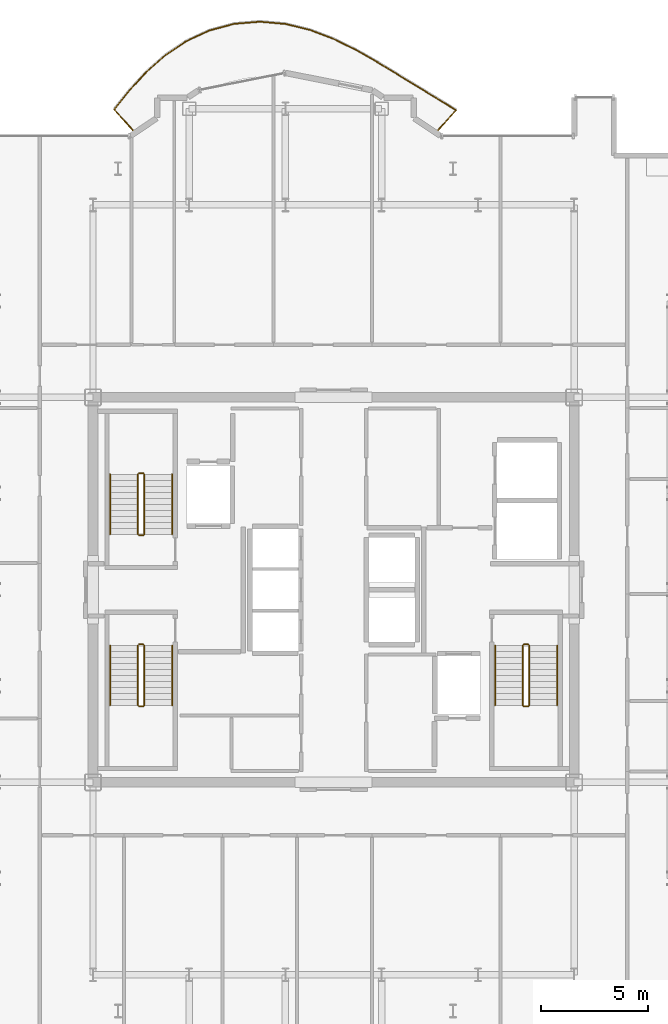
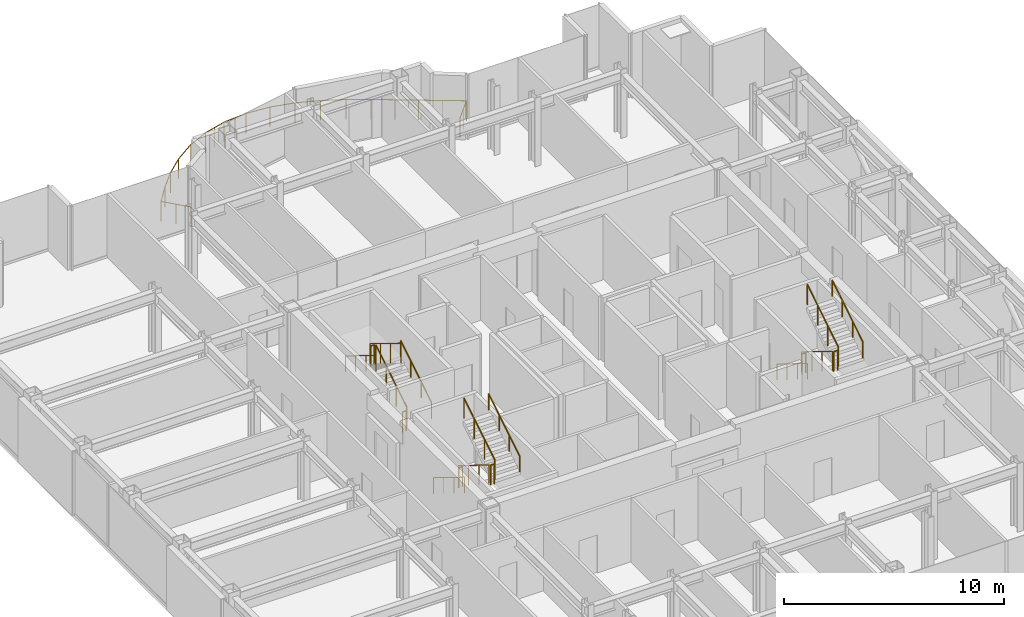
# One storey, part 16 of 16: 19 railings.
"""IFC4 building model written with IfcOpenShell, lengths in metres."""

from ifc_helpers import new_model, si_unit, direction, frame, origin, origin_2d, place, context, subcontext, project, spatial, circle, extrude, material, type_object, element, save


model = new_model("IFC4")

# Units and contexts
model_context = context("Model", 3, precision=1e-05, world=origin(), true_north=direction((0.0, 1.0)))
body_context = subcontext(model_context, "Body", "Model", "MODEL_VIEW")
ifc_project = project(units=[si_unit("LENGTHUNIT", "METRE"), si_unit("AREAUNIT", "SQUARE_METRE"), si_unit("VOLUMEUNIT", "CUBIC_METRE"), si_unit("PLANEANGLEUNIT", "RADIAN"), si_unit("MASSUNIT", "GRAM", prefix="KILO")], contexts=[model_context])

# Site, building, storey
site_placement = place(None, origin())
site = spatial("IfcSite", under=ifc_project, at=site_placement, CompositionType="ELEMENT")
building_placement = place(site_placement, origin())
building = spatial("IfcBuilding", under=site, at=building_placement, Name="Nefas-Gora Pilgrimage Tower", CompositionType="ELEMENT")
storey_placement = place(building_placement, frame((0.0, 0.0, 287.39990234375)))
storey = spatial("IfcBuildingStorey", under=building, at=storey_placement, Name="L72", CompositionType="ELEMENT", Elevation=287.39990234375)

# Railings
ifc_material_1 = material(Name="Laminated safety glass and stainless steel", Category="steel")
railing_type_1 = type_object("IfcRailingType", Name="RLG-BAL-1100", PredefinedType="BALUSTRADE", material=ifc_material_1)
railing_1_placement = place(storey_placement, frame((4.802490234375, 21.402587890625, 0.0)))
element("IfcRailing", 1, at=railing_1_placement, inside=storey, type_object=railing_type_1, Name="L72 Wave Balcony Balustrade N1", PredefinedType="BALUSTRADE", context=body_context, shape_type="SweptSolid", body=[
    extrude(circle(Radius=0.02392578125, at=origin_2d()), frame((0.0, 0.0, 1.09619140625), z_axis=(0.669217868333, 0.743066245165, 0.0), x_axis=(-0.743066245165, 0.669217868333, 0.0)), (0.0, 0.0, 1.0), 1.38525390625),
    extrude(circle(Radius=0.02392578125, at=origin_2d()), frame((0.927001953125, 1.029296875, 1.09619140625), z_axis=(-0.852658885571, 0.522468013238, 0.0), x_axis=(-0.522468013238, -0.852658885571, 0.0)), (0.0, 0.0, 1.0), 1.095703125),
    extrude(circle(Radius=0.02392578125, at=origin_2d()), frame((-0.00732421875, 1.601806640625, 1.09619140625), z_axis=(-0.855124780813, 0.518422230657, 0.0), x_axis=(-0.518422230657, -0.855124780813, 0.0)), (0.0, 0.0, 1.0), 1.077392578125),
    extrude(circle(Radius=0.02392578125, at=origin_2d()), frame((-0.9287109375, 2.160400390625, 1.09619140625), z_axis=(-0.852777131159, 0.522274989418, 0.0), x_axis=(-0.522274989418, -0.852777131159, 0.0)), (0.0, 0.0, 1.0), 1.076904296875),
    extrude(circle(Radius=0.02392578125, at=origin_2d()), frame((-1.84716796875, 2.722900390625, 1.09619140625), z_axis=(-0.854684994475, 0.519146954358, 0.0), x_axis=(-0.519146954358, -0.854684994475, 0.0)), (0.0, 0.0, 1.0), 1.09423828125),
    extrude(circle(Radius=0.02392578125, at=origin_2d()), frame((-2.782470703125, 3.291015625, 1.09619140625), z_axis=(-0.868857666147, 0.495061971856, 0.0), x_axis=(-0.495061971856, -0.868857666147, 0.0)), (0.0, 0.0, 1.0), 1.123291015625),
    extrude(circle(Radius=0.02392578125, at=origin_2d()), frame((-3.758544921875, 3.84716796875, 1.09619140625), z_axis=(-0.896659173932, 0.442721499142, 0.0), x_axis=(-0.442721499142, -0.896659173932, 0.0)), (0.0, 0.0, 1.0), 1.153564453125),
    extrude(circle(Radius=0.02392578125, at=origin_2d()), frame((-4.79296875, 4.35791015625, 1.09619140625), z_axis=(-0.934122957215, 0.356951398377, 0.0), x_axis=(-0.356951398377, -0.934122957215, 0.0)), (0.0, 0.0, 1.0), 1.178466796875),
    extrude(circle(Radius=0.02392578125, at=origin_2d()), frame((-5.893798828125, 4.778564453125, 1.09619140625), z_axis=(-0.97145249085, 0.237234183922, 0.0), x_axis=(-0.237234183922, -0.97145249085, 0.0)), (0.0, 0.0, 1.0), 1.192626953125),
    extrude(circle(Radius=0.02392578125, at=origin_2d()), frame((-7.052490234375, 5.0615234375, 1.09619140625), z_axis=(-0.99619460159, 0.087156845765, 0.0), x_axis=(-0.087156845765, -0.99619460159, 0.0)), (0.0, 0.0, 1.0), 1.198974609375),
    extrude(circle(Radius=0.02392578125, at=origin_2d()), frame((-8.246826171875, 5.166015625, 1.09619140625), z_axis=(-0.996586307441, -0.082557445587, 0.0), x_axis=(0.082557445587, -0.996586307441, 0.0)), (0.0, 0.0, 1.0), 1.20068359375),
    extrude(circle(Radius=0.02392578125, at=origin_2d()), frame((-9.443359375, 5.06689453125, 1.09619140625), z_axis=(-0.966180913081, -0.257865164763, 0.0), x_axis=(0.257865164763, -0.966180913081, 0.0)), (0.0, 0.0, 1.0), 1.200439453125),
    extrude(circle(Radius=0.02392578125, at=origin_2d()), frame((-10.603271484375, 4.75732421875, 1.09619140625), z_axis=(-0.907111664378, -0.420890043063, 0.0), x_axis=(0.420890043063, -0.907111664378, 0.0)), (0.0, 0.0, 1.0), 1.199462890625),
    extrude(circle(Radius=0.02392578125, at=origin_2d()), frame((-11.69140625, 4.25244140625, 1.09619140625), z_axis=(-0.829780590571, -0.558089752201, 0.0), x_axis=(0.558089752201, -0.829780590571, 0.0)), (0.0, 0.0, 1.0), 1.195068359375),
    extrude(circle(Radius=0.02392578125, at=origin_2d()), frame((-12.68310546875, 3.58544921875, 1.09619140625), z_axis=(-0.748330645695, -0.663325896308, 0.0), x_axis=(0.663325896308, -0.748330645695, 0.0)), (0.0, 0.0, 1.0), 1.183349609375),
    extrude(circle(Radius=0.02392578125, at=origin_2d()), frame((-13.568603515625, 2.800537109375, 1.09619140625), z_axis=(-0.676400344051, -0.736534163883, 0.0), x_axis=(0.736534163883, -0.676400344051, 0.0)), (0.0, 0.0, 1.0), 1.1611328125),
    extrude(circle(Radius=0.02392578125, at=origin_2d()), frame((-14.35400390625, 1.9453125, 1.09619140625), z_axis=(-0.624326656169, -0.781163380092, 0.0), x_axis=(0.781163380092, -0.624326656169, 0.0)), (0.0, 0.0, 1.0), 1.131591796875),
    extrude(circle(Radius=0.02392578125, at=origin_2d()), frame((-15.060546875, 1.061279296875, 1.09619140625), z_axis=(0.669125283262, -0.743149618381, 0.0), x_axis=(0.743149618381, 0.669125283262, 0.0)), (0.0, 0.0, 1.0), 1.427978515625),
    extrude(circle(Radius=0.02099609375, at=origin_2d()), origin(), (0.0, 0.0, 1.0), 1.072021484375),
    extrude(circle(Radius=0.02099609375, at=origin_2d()), frame((0.46337890625, 0.5146484375, 0.0)), (0.0, 0.0, 1.0), 1.072021484375),
    extrude(circle(Radius=0.02099609375, at=origin_2d()), frame((0.927001953125, 1.029296875, 0.0)), (0.0, 0.0, 1.0), 1.072021484375),
    extrude(circle(Radius=0.02099609375, at=origin_2d()), frame((-0.00732421875, 1.601806640625, 0.0)), (0.0, 0.0, 1.0), 1.072021484375),
    extrude(circle(Radius=0.02099609375, at=origin_2d()), frame((-0.9287109375, 2.160400390625, 0.0)), (0.0, 0.0, 1.0), 1.072021484375),
    extrude(circle(Radius=0.02099609375, at=origin_2d()), frame((-1.84716796875, 2.722900390625, 0.0)), (0.0, 0.0, 1.0), 1.072021484375),
    extrude(circle(Radius=0.02099609375, at=origin_2d()), frame((-2.782470703125, 3.291015625, 0.0)), (0.0, 0.0, 1.0), 1.072021484375),
    extrude(circle(Radius=0.02099609375, at=origin_2d()), frame((-3.758544921875, 3.84716796875, 0.0)), (0.0, 0.0, 1.0), 1.072021484375),
    extrude(circle(Radius=0.02099609375, at=origin_2d()), frame((-4.79296875, 4.35791015625, 0.0)), (0.0, 0.0, 1.0), 1.072021484375),
    extrude(circle(Radius=0.02099609375, at=origin_2d()), frame((-5.893798828125, 4.778564453125, 0.0)), (0.0, 0.0, 1.0), 1.072021484375),
    extrude(circle(Radius=0.02099609375, at=origin_2d()), frame((-7.052490234375, 5.0615234375, 0.0)), (0.0, 0.0, 1.0), 1.072021484375),
    extrude(circle(Radius=0.02099609375, at=origin_2d()), frame((-8.246826171875, 5.166015625, 0.0)), (0.0, 0.0, 1.0), 1.072021484375),
    extrude(circle(Radius=0.02099609375, at=origin_2d()), frame((-8.84521484375, 5.116455078125, 0.0)), (0.0, 0.0, 1.0), 1.072021484375),
    extrude(circle(Radius=0.02099609375, at=origin_2d()), frame((-9.443359375, 5.06689453125, 0.0)), (0.0, 0.0, 1.0), 1.072021484375),
    extrude(circle(Radius=0.02099609375, at=origin_2d()), frame((-10.0234375, 4.912109375, 0.0)), (0.0, 0.0, 1.0), 1.072021484375),
    extrude(circle(Radius=0.02099609375, at=origin_2d()), frame((-10.603271484375, 4.75732421875, 0.0)), (0.0, 0.0, 1.0), 1.072021484375),
    extrude(circle(Radius=0.02099609375, at=origin_2d()), frame((-11.69140625, 4.25244140625, 0.0)), (0.0, 0.0, 1.0), 1.072021484375),
    extrude(circle(Radius=0.02099609375, at=origin_2d()), frame((-12.68310546875, 3.58544921875, 0.0)), (0.0, 0.0, 1.0), 1.072021484375),
    extrude(circle(Radius=0.02099609375, at=origin_2d()), frame((-13.568603515625, 2.800537109375, 0.0)), (0.0, 0.0, 1.0), 1.072021484375),
    extrude(circle(Radius=0.02099609375, at=origin_2d()), frame((-14.35400390625, 1.9453125, 0.0)), (0.0, 0.0, 1.0), 1.072021484375),
    extrude(circle(Radius=0.02099609375, at=origin_2d()), frame((-15.060546875, 1.061279296875, 0.0)), (0.0, 0.0, 1.0), 1.072021484375),
    extrude(circle(Radius=0.02099609375, at=origin_2d()), frame((-14.582763671875, 0.53076171875, 0.0)), (0.0, 0.0, 1.0), 1.072021484375),
    extrude(circle(Radius=0.02099609375, at=origin_2d()), frame((-14.10498046875, 0.0, 0.0)), (0.0, 0.0, 1.0), 1.072021484375),
])
ifc_material_2 = material(Name="Painted galvanised steel", Category="steel")
railing_type_2 = type_object("IfcRailingType", Name="RLG-STR-GUARD-1100", PredefinedType="GUARDRAIL", material=ifc_material_2)
railing_2_placement = place(storey_placement, frame((-8.85009765625, 2.60009765625, 0.1728515625)))
element("IfcRailing", 2, at=railing_2_placement, inside=storey, type_object=railing_type_2, Name="L72 ST-01 stair guard 1", PredefinedType="GUARDRAIL", context=body_context, shape_type="SweptSolid", body=[
    extrude(circle(Radius=0.02392578125, at=origin_2d()), frame((0.0, 0.0, 1.09619140625), z_axis=(0.0, 0.851069175582, 0.525053576669), x_axis=(-1.0, 0.0, 0.0)), (0.0, 0.0, 1.0), 3.289794921875),
    extrude(circle(Radius=0.02099609375, at=origin_2d()), origin(), (0.0, 0.0, 1.0), 1.072021484375),
    extrude(circle(Radius=0.02099609375, at=origin_2d()), frame((0.0, 0.933349609375, 0.57568359375)), (0.0, 0.0, 1.0), 1.072021484375),
    extrude(circle(Radius=0.02099609375, at=origin_2d()), frame((0.0, 1.866455078125, 1.151611328125)), (0.0, 0.0, 1.0), 1.072021484375),
    extrude(circle(Radius=0.02099609375, at=origin_2d()), frame((0.0, 2.7998046875, 1.727294921875)), (0.0, 0.0, 1.0), 1.072021484375),
])
railing_3_placement = place(storey_placement, frame((-8.89990234375, 5.449951171875, 1.900146484375)))
element("IfcRailing", 3, at=railing_3_placement, inside=storey, type_object=railing_type_2, Name="L72 ST-01 stair guard 2", PredefinedType="GUARDRAIL", context=body_context, shape_type="SweptSolid", body=[
    extrude(circle(Radius=0.02392578125, at=origin_2d()), frame((0.0, 0.0, 1.09619140625), z_axis=(-1.0, 0.0, 0.0), x_axis=(0.0, -1.0, 0.0)), (0.0, 0.0, 1.0), 0.2001953125),
    extrude(circle(Radius=0.02099609375, at=origin_2d()), origin(), (0.0, 0.0, 1.0), 1.072021484375),
    extrude(circle(Radius=0.02099609375, at=origin_2d()), frame((-0.2001953125, 0.0, 0.0)), (0.0, 0.0, 1.0), 1.072021484375),
])
railing_4_placement = place(storey_placement, frame((-9.14990234375, 5.39990234375, 2.07275390625)))
element("IfcRailing", 4, at=railing_4_placement, inside=storey, type_object=railing_type_2, Name="L72 ST-01 stair guard 3", PredefinedType="GUARDRAIL", context=body_context, shape_type="SweptSolid", body=[
    extrude(circle(Radius=0.02392578125, at=origin_2d()), frame((0.0, 0.0, 1.09619140625), z_axis=(0.0, -0.851069175582, 0.525053576669), x_axis=(1.0, 0.0, 0.0)), (0.0, 0.0, 1.0), 3.289794921875),
    extrude(circle(Radius=0.02099609375, at=origin_2d()), origin(), (0.0, 0.0, 1.0), 1.072021484375),
    extrude(circle(Radius=0.02099609375, at=origin_2d()), frame((0.0, -0.933349609375, 0.57568359375)), (0.0, 0.0, 1.0), 1.072021484375),
    extrude(circle(Radius=0.02099609375, at=origin_2d()), frame((0.0, -1.866455078125, 1.151611328125)), (0.0, 0.0, 1.0), 1.072021484375),
    extrude(circle(Radius=0.02099609375, at=origin_2d()), frame((0.0, -2.7998046875, 1.727294921875)), (0.0, 0.0, 1.0), 1.072021484375),
])
railing_5_placement = place(storey_placement, frame((-8.89990234375, 2.550048828125, 0.0)))
element("IfcRailing", 5, at=railing_5_placement, inside=storey, type_object=railing_type_2, Name="L72 ST-01 stair guard 4", PredefinedType="GUARDRAIL", context=body_context, shape_type="SweptSolid", body=[
    extrude(circle(Radius=0.02392578125, at=origin_2d()), frame((0.0, 0.0, 1.09619140625), z_axis=(-1.0, 0.0, 0.0), x_axis=(0.0, -1.0, 0.0)), (0.0, 0.0, 1.0), 0.2001953125),
    extrude(circle(Radius=0.02099609375, at=origin_2d()), origin(), (0.0, 0.0, 1.0), 1.072021484375),
    extrude(circle(Radius=0.02099609375, at=origin_2d()), frame((-0.2001953125, 0.0, 0.0)), (0.0, 0.0, 1.0), 1.072021484375),
])
railing_6_placement = place(storey_placement, frame((8.85009765625, -2.60009765625, 0.1728515625)))
element("IfcRailing", 6, at=railing_6_placement, inside=storey, type_object=railing_type_2, Name="L72 ST-02 stair guard 1", PredefinedType="GUARDRAIL", context=body_context, shape_type="SweptSolid", body=[
    extrude(circle(Radius=0.02392578125, at=origin_2d()), frame((0.0, 0.0, 1.09619140625), z_axis=(0.0, -0.851069175582, 0.525053576669), x_axis=(1.0, 0.0, 0.0)), (0.0, 0.0, 1.0), 3.289794921875),
    extrude(circle(Radius=0.02099609375, at=origin_2d()), origin(), (0.0, 0.0, 1.0), 1.072021484375),
    extrude(circle(Radius=0.02099609375, at=origin_2d()), frame((0.0, -0.933349609375, 0.57568359375)), (0.0, 0.0, 1.0), 1.072021484375),
    extrude(circle(Radius=0.02099609375, at=origin_2d()), frame((0.0, -1.866455078125, 1.151611328125)), (0.0, 0.0, 1.0), 1.072021484375),
    extrude(circle(Radius=0.02099609375, at=origin_2d()), frame((0.0, -2.7998046875, 1.727294921875)), (0.0, 0.0, 1.0), 1.072021484375),
])
railing_7_placement = place(storey_placement, frame((8.89990234375, -5.449951171875, 1.900146484375)))
element("IfcRailing", 7, at=railing_7_placement, inside=storey, type_object=railing_type_2, Name="L72 ST-02 stair guard 2", PredefinedType="GUARDRAIL", context=body_context, shape_type="SweptSolid", body=[
    extrude(circle(Radius=0.02392578125, at=origin_2d()), frame((0.0, 0.0, 1.09619140625), z_axis=(1.0, 0.0, 0.0), x_axis=(0.0, 1.0, 0.0)), (0.0, 0.0, 1.0), 0.2001953125),
    extrude(circle(Radius=0.02099609375, at=origin_2d()), origin(), (0.0, 0.0, 1.0), 1.072021484375),
    extrude(circle(Radius=0.02099609375, at=origin_2d()), frame((0.2001953125, 0.0, 0.0)), (0.0, 0.0, 1.0), 1.072021484375),
])
railing_8_placement = place(storey_placement, frame((9.14990234375, -5.39990234375, 2.07275390625)))
element("IfcRailing", 8, at=railing_8_placement, inside=storey, type_object=railing_type_2, Name="L72 ST-02 stair guard 3", PredefinedType="GUARDRAIL", context=body_context, shape_type="SweptSolid", body=[
    extrude(circle(Radius=0.02392578125, at=origin_2d()), frame((0.0, 0.0, 1.09619140625), z_axis=(0.0, 0.851069175582, 0.525053576669), x_axis=(-1.0, 0.0, 0.0)), (0.0, 0.0, 1.0), 3.289794921875),
    extrude(circle(Radius=0.02099609375, at=origin_2d()), origin(), (0.0, 0.0, 1.0), 1.072021484375),
    extrude(circle(Radius=0.02099609375, at=origin_2d()), frame((0.0, 0.933349609375, 0.57568359375)), (0.0, 0.0, 1.0), 1.072021484375),
    extrude(circle(Radius=0.02099609375, at=origin_2d()), frame((0.0, 1.866455078125, 1.151611328125)), (0.0, 0.0, 1.0), 1.072021484375),
    extrude(circle(Radius=0.02099609375, at=origin_2d()), frame((0.0, 2.7998046875, 1.727294921875)), (0.0, 0.0, 1.0), 1.072021484375),
])
railing_9_placement = place(storey_placement, frame((8.89990234375, -2.550048828125, 0.0)))
element("IfcRailing", 9, at=railing_9_placement, inside=storey, type_object=railing_type_2, Name="L72 ST-02 stair guard 4", PredefinedType="GUARDRAIL", context=body_context, shape_type="SweptSolid", body=[
    extrude(circle(Radius=0.02392578125, at=origin_2d()), frame((0.0, 0.0, 1.09619140625), z_axis=(1.0, 0.0, 0.0), x_axis=(0.0, 1.0, 0.0)), (0.0, 0.0, 1.0), 0.2001953125),
    extrude(circle(Radius=0.02099609375, at=origin_2d()), origin(), (0.0, 0.0, 1.0), 1.072021484375),
    extrude(circle(Radius=0.02099609375, at=origin_2d()), frame((0.2001953125, 0.0, 0.0)), (0.0, 0.0, 1.0), 1.072021484375),
])
railing_10_placement = place(storey_placement, frame((-9.14990234375, -2.60009765625, 0.1728515625)))
element("IfcRailing", 10, at=railing_10_placement, inside=storey, type_object=railing_type_2, Name="L72 ST-03 stair guard 1", PredefinedType="GUARDRAIL", context=body_context, shape_type="SweptSolid", body=[
    extrude(circle(Radius=0.02392578125, at=origin_2d()), frame((0.0, 0.0, 1.09619140625), z_axis=(0.0, -0.851069175582, 0.525053576669), x_axis=(1.0, 0.0, 0.0)), (0.0, 0.0, 1.0), 3.289794921875),
    extrude(circle(Radius=0.02099609375, at=origin_2d()), origin(), (0.0, 0.0, 1.0), 1.072021484375),
    extrude(circle(Radius=0.02099609375, at=origin_2d()), frame((0.0, -0.933349609375, 0.57568359375)), (0.0, 0.0, 1.0), 1.072021484375),
    extrude(circle(Radius=0.02099609375, at=origin_2d()), frame((0.0, -1.866455078125, 1.151611328125)), (0.0, 0.0, 1.0), 1.072021484375),
    extrude(circle(Radius=0.02099609375, at=origin_2d()), frame((0.0, -2.7998046875, 1.727294921875)), (0.0, 0.0, 1.0), 1.072021484375),
])
railing_11_placement = place(storey_placement, frame((-9.10009765625, -5.449951171875, 1.900146484375)))
element("IfcRailing", 11, at=railing_11_placement, inside=storey, type_object=railing_type_2, Name="L72 ST-03 stair guard 2", PredefinedType="GUARDRAIL", context=body_context, shape_type="SweptSolid", body=[
    extrude(circle(Radius=0.02392578125, at=origin_2d()), frame((0.0, 0.0, 1.09619140625), z_axis=(1.0, 0.0, 0.0), x_axis=(0.0, 1.0, 0.0)), (0.0, 0.0, 1.0), 0.2001953125),
    extrude(circle(Radius=0.02099609375, at=origin_2d()), origin(), (0.0, 0.0, 1.0), 1.072021484375),
    extrude(circle(Radius=0.02099609375, at=origin_2d()), frame((0.2001953125, 0.0, 0.0)), (0.0, 0.0, 1.0), 1.072021484375),
])
railing_12_placement = place(storey_placement, frame((-8.85009765625, -5.39990234375, 2.07275390625)))
element("IfcRailing", 12, at=railing_12_placement, inside=storey, type_object=railing_type_2, Name="L72 ST-03 stair guard 3", PredefinedType="GUARDRAIL", context=body_context, shape_type="SweptSolid", body=[
    extrude(circle(Radius=0.02392578125, at=origin_2d()), frame((0.0, 0.0, 1.09619140625), z_axis=(0.0, 0.851069175582, 0.525053576669), x_axis=(-1.0, 0.0, 0.0)), (0.0, 0.0, 1.0), 3.289794921875),
    extrude(circle(Radius=0.02099609375, at=origin_2d()), origin(), (0.0, 0.0, 1.0), 1.072021484375),
    extrude(circle(Radius=0.02099609375, at=origin_2d()), frame((0.0, 0.933349609375, 0.57568359375)), (0.0, 0.0, 1.0), 1.072021484375),
    extrude(circle(Radius=0.02099609375, at=origin_2d()), frame((0.0, 1.866455078125, 1.151611328125)), (0.0, 0.0, 1.0), 1.072021484375),
    extrude(circle(Radius=0.02099609375, at=origin_2d()), frame((0.0, 2.7998046875, 1.727294921875)), (0.0, 0.0, 1.0), 1.072021484375),
])
railing_13_placement = place(storey_placement, frame((-9.10009765625, -2.550048828125, 0.0)))
element("IfcRailing", 13, at=railing_13_placement, inside=storey, type_object=railing_type_2, Name="L72 ST-03 stair guard 4", PredefinedType="GUARDRAIL", context=body_context, shape_type="SweptSolid", body=[
    extrude(circle(Radius=0.02392578125, at=origin_2d()), frame((0.0, 0.0, 1.09619140625), z_axis=(1.0, 0.0, 0.0), x_axis=(0.0, 1.0, 0.0)), (0.0, 0.0, 1.0), 0.2001953125),
    extrude(circle(Radius=0.02099609375, at=origin_2d()), origin(), (0.0, 0.0, 1.0), 1.072021484375),
    extrude(circle(Radius=0.02099609375, at=origin_2d()), frame((0.2001953125, 0.0, 0.0)), (0.0, 0.0, 1.0), 1.072021484375),
])
ifc_material_3 = material(Name="Brushed stainless steel", Category="steel")
railing_type_3 = type_object("IfcRailingType", Name="RLG-STR-HAND-900", PredefinedType="HANDRAIL", material=ifc_material_3)
railing_14_placement = place(storey_placement, frame((-7.550048828125, 2.60009765625, 0.1728515625)))
element("IfcRailing", 14, at=railing_14_placement, inside=storey, type_object=railing_type_3, Name="L72 ST-01 stair handrail 1", PredefinedType="HANDRAIL", context=body_context, shape_type="SweptSolid", body=[
    extrude(circle(Radius=0.02392578125, at=origin_2d()), frame((0.0, 0.0, 0.8759765625), z_axis=(0.0, 0.851069175582, 0.525053576669), x_axis=(-1.0, 0.0, 0.0)), (0.0, 0.0, 1.0), 3.289794921875),
    extrude(circle(Radius=0.02099609375, at=origin_2d()), origin(), (0.0, 0.0, 1.0), 0.851806640625),
    extrude(circle(Radius=0.02099609375, at=origin_2d()), frame((0.0, 0.933349609375, 0.57568359375)), (0.0, 0.0, 1.0), 0.851806640625),
    extrude(circle(Radius=0.02099609375, at=origin_2d()), frame((0.0, 1.866455078125, 1.151611328125)), (0.0, 0.0, 1.0), 0.851806640625),
    extrude(circle(Radius=0.02099609375, at=origin_2d()), frame((0.0, 2.7998046875, 1.727294921875)), (0.0, 0.0, 1.0), 0.851806640625),
])
for number, where, name in (
    (15, (-10.449951171875, 5.39990234375, 2.07275390625), "L72 ST-01 stair handrail 2"),
    (16, (7.550048828125, -2.60009765625, 0.1728515625), "L72 ST-02 stair handrail 1"),
):
    element("IfcRailing", number, at=place(storey_placement, frame(where)), inside=storey, type_object=railing_type_3, Name=name, PredefinedType="HANDRAIL", context=body_context, shape_type="SweptSolid", body=[
        extrude(circle(Radius=0.02392578125, at=origin_2d()), frame((0.0, 0.0, 0.8759765625), z_axis=(0.0, -0.851069175582, 0.525053576669), x_axis=(1.0, 0.0, 0.0)), (0.0, 0.0, 1.0), 3.289794921875),
        extrude(circle(Radius=0.02099609375, at=origin_2d()), origin(), (0.0, 0.0, 1.0), 0.851806640625),
        extrude(circle(Radius=0.02099609375, at=origin_2d()), frame((0.0, -0.933349609375, 0.57568359375)), (0.0, 0.0, 1.0), 0.851806640625),
        extrude(circle(Radius=0.02099609375, at=origin_2d()), frame((0.0, -1.866455078125, 1.151611328125)), (0.0, 0.0, 1.0), 0.851806640625),
        extrude(circle(Radius=0.02099609375, at=origin_2d()), frame((0.0, -2.7998046875, 1.727294921875)), (0.0, 0.0, 1.0), 0.851806640625),
    ])
railing_15_placement = place(storey_placement, frame((10.449951171875, -5.39990234375, 2.07275390625)))
element("IfcRailing", 17, at=railing_15_placement, inside=storey, type_object=railing_type_3, Name="L72 ST-02 stair handrail 2", PredefinedType="HANDRAIL", context=body_context, shape_type="SweptSolid", body=[
    extrude(circle(Radius=0.02392578125, at=origin_2d()), frame((0.0, 0.0, 0.8759765625), z_axis=(0.0, 0.851069175582, 0.525053576669), x_axis=(-1.0, 0.0, 0.0)), (0.0, 0.0, 1.0), 3.289794921875),
    extrude(circle(Radius=0.02099609375, at=origin_2d()), origin(), (0.0, 0.0, 1.0), 0.851806640625),
    extrude(circle(Radius=0.02099609375, at=origin_2d()), frame((0.0, 0.933349609375, 0.57568359375)), (0.0, 0.0, 1.0), 0.851806640625),
    extrude(circle(Radius=0.02099609375, at=origin_2d()), frame((0.0, 1.866455078125, 1.151611328125)), (0.0, 0.0, 1.0), 0.851806640625),
    extrude(circle(Radius=0.02099609375, at=origin_2d()), frame((0.0, 2.7998046875, 1.727294921875)), (0.0, 0.0, 1.0), 0.851806640625),
])
railing_16_placement = place(storey_placement, frame((-10.449951171875, -2.60009765625, 0.1728515625)))
element("IfcRailing", 18, at=railing_16_placement, inside=storey, type_object=railing_type_3, Name="L72 ST-03 stair handrail 1", PredefinedType="HANDRAIL", context=body_context, shape_type="SweptSolid", body=[
    extrude(circle(Radius=0.02392578125, at=origin_2d()), frame((0.0, 0.0, 0.8759765625), z_axis=(0.0, -0.851069175582, 0.525053576669), x_axis=(1.0, 0.0, 0.0)), (0.0, 0.0, 1.0), 3.289794921875),
    extrude(circle(Radius=0.02099609375, at=origin_2d()), origin(), (0.0, 0.0, 1.0), 0.851806640625),
    extrude(circle(Radius=0.02099609375, at=origin_2d()), frame((0.0, -0.933349609375, 0.57568359375)), (0.0, 0.0, 1.0), 0.851806640625),
    extrude(circle(Radius=0.02099609375, at=origin_2d()), frame((0.0, -1.866455078125, 1.151611328125)), (0.0, 0.0, 1.0), 0.851806640625),
    extrude(circle(Radius=0.02099609375, at=origin_2d()), frame((0.0, -2.7998046875, 1.727294921875)), (0.0, 0.0, 1.0), 0.851806640625),
])
railing_17_placement = place(storey_placement, frame((-7.550048828125, -5.39990234375, 2.07275390625)))
element("IfcRailing", 19, at=railing_17_placement, inside=storey, type_object=railing_type_3, Name="L72 ST-03 stair handrail 2", PredefinedType="HANDRAIL", context=body_context, shape_type="SweptSolid", body=[
    extrude(circle(Radius=0.02392578125, at=origin_2d()), frame((0.0, 0.0, 0.8759765625), z_axis=(0.0, 0.851069175582, 0.525053576669), x_axis=(-1.0, 0.0, 0.0)), (0.0, 0.0, 1.0), 3.289794921875),
    extrude(circle(Radius=0.02099609375, at=origin_2d()), origin(), (0.0, 0.0, 1.0), 0.851806640625),
    extrude(circle(Radius=0.02099609375, at=origin_2d()), frame((0.0, 0.933349609375, 0.57568359375)), (0.0, 0.0, 1.0), 0.851806640625),
    extrude(circle(Radius=0.02099609375, at=origin_2d()), frame((0.0, 1.866455078125, 1.151611328125)), (0.0, 0.0, 1.0), 0.851806640625),
    extrude(circle(Radius=0.02099609375, at=origin_2d()), frame((0.0, 2.7998046875, 1.727294921875)), (0.0, 0.0, 1.0), 0.851806640625),
])

save(model, "model.ifc")
